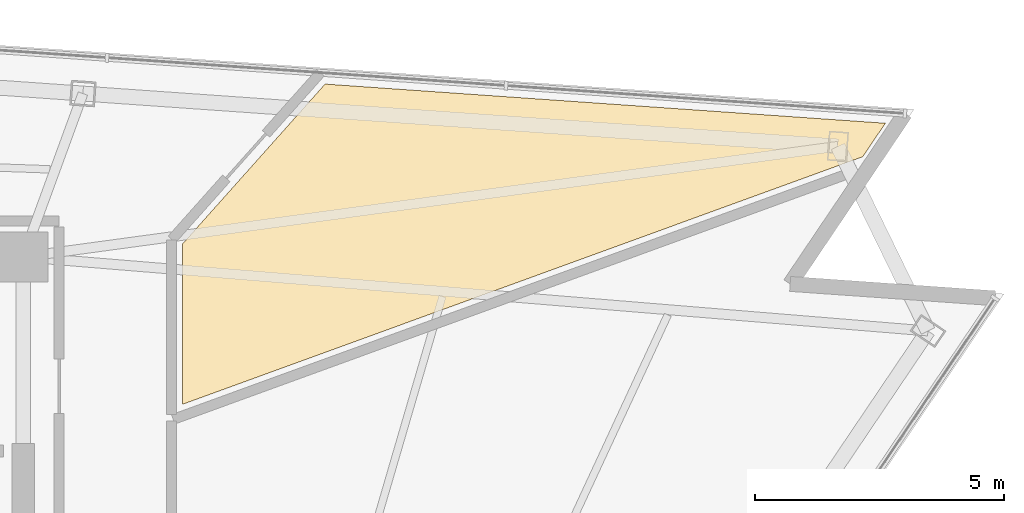
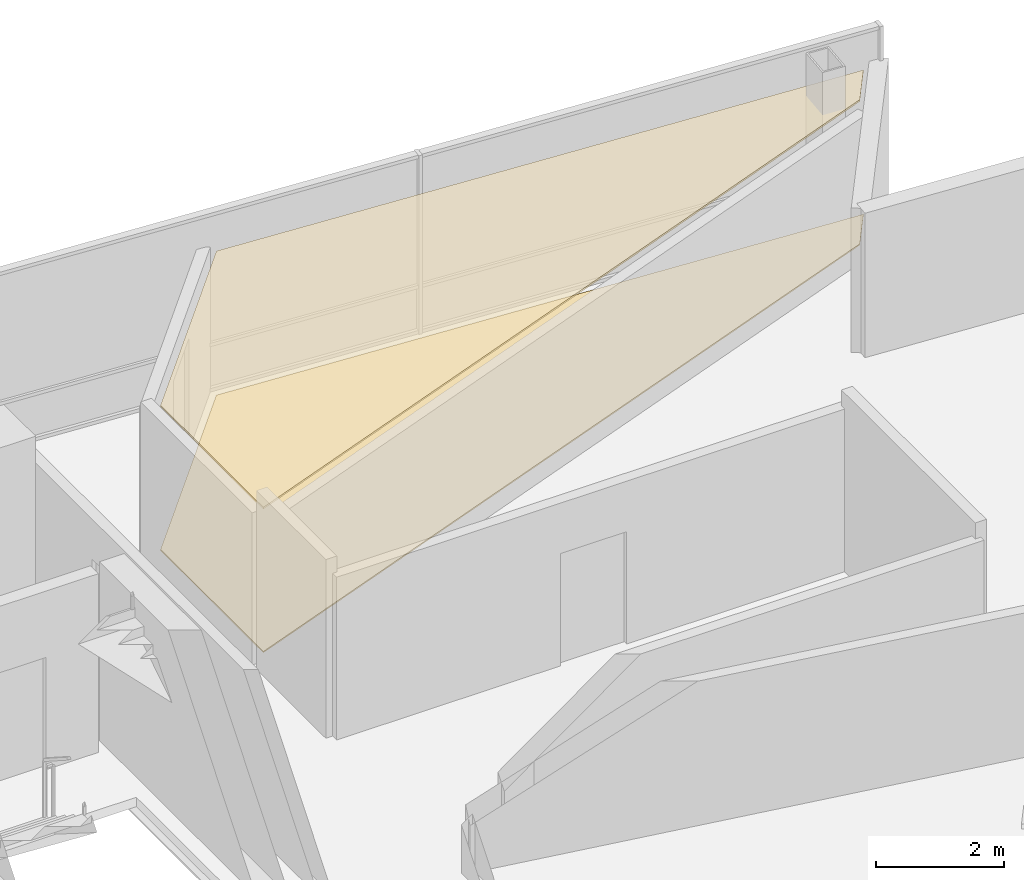
# One storey, part 14 of 14: 2 coverings.
"""IFC4 building model written with IfcOpenShell, lengths in metres."""

from ifc_helpers import new_model, si_unit, direction, frame, origin, place, context, subcontext, project, spatial, polyline, outline, extrude, material, layer, layer_set, type_object, element, save


model = new_model("IFC4")

# Units and contexts
model_context = context("Model", 3, precision=1e-05, world=origin(), true_north=direction((0.0, 1.0)))
body_context = subcontext(model_context, "Body", "Model", "MODEL_VIEW")
ifc_project = project(units=[si_unit("LENGTHUNIT", "METRE"), si_unit("AREAUNIT", "SQUARE_METRE"), si_unit("VOLUMEUNIT", "CUBIC_METRE"), si_unit("PLANEANGLEUNIT", "RADIAN"), si_unit("MASSUNIT", "GRAM", prefix="KILO")], contexts=[model_context])

# Site, building, storey
site_placement = place(None, origin())
site = spatial("IfcSite", under=ifc_project, at=site_placement, CompositionType="ELEMENT")
building_placement = place(site_placement, origin())
building = spatial("IfcBuilding", under=site, at=building_placement, Name="Tharavind Bronze Gate", CompositionType="ELEMENT")
storey_placement = place(building_placement, frame((0.0, 0.0, 237.85009765625)))
storey = spatial("IfcBuildingStorey", under=building, at=storey_placement, Name="L61", CompositionType="ELEMENT", Elevation=237.85009765625)

# Coverings
ifc_material_1 = material(Name="Perforated Bronze Acoustic Panel", Category="bronze")
ifc_layer_1 = layer(ifc_material_1, 0.044921875)
ifc_layer_set_1 = layer_set([ifc_layer_1], Name="Perforated Bronze Acoustic Panel")
covering_type_1 = type_object("IfcCoveringType", Name="ACOUSTIC BRONZE BAFFLE CEILING", PredefinedType="CEILING", material=ifc_layer_set_1)
covering_1_placement = place(storey_placement, frame((0.0, 0.0, 2.75)))
element("IfcCovering", 1, at=covering_1_placement, inside=storey, type_object=covering_type_1, Name="L61-RM-01 suspended ceiling", PredefinedType="CEILING", context=body_context, shape_type="SweptSolid", body=[
    extrude(outline(polyline([(25.771240234375, 9.614013671875), (26.225341796875, 10.287353515625), (14.966064453125, 11.07470703125), (12.10009765625, 7.86181640625), (12.10009765625, 4.63818359375), (25.771240234375, 9.614013671875)])), origin(), (0.0, 0.0, 1.0), 0.034912109375),
])
ifc_material_2 = material(Name="Engineered Oak & Carpet Tile", Category="wood")
ifc_layer_2 = layer(ifc_material_2, 0.02490234375)
ifc_layer_set_2 = layer_set([ifc_layer_2], Name="Engineered Oak & Carpet Tile")
covering_type_2 = type_object("IfcCoveringType", Name="ENGINEERED TIMBER FLOORING", PredefinedType="FLOORING", material=ifc_layer_set_2)
covering_2_placement = place(storey_placement, origin())
element("IfcCovering", 2, at=covering_2_placement, inside=storey, type_object=covering_type_2, Name="L61-RM-01 floor finish", PredefinedType="FLOORING", context=body_context, shape_type="SweptSolid", body=[
    extrude(outline(polyline([(25.771240234375, 9.614013671875), (26.225341796875, 10.287353515625), (14.966064453125, 11.07470703125), (12.10009765625, 7.86181640625), (12.10009765625, 4.63818359375), (25.771240234375, 9.614013671875)])), origin(), (0.0, 0.0, 1.0), 0.02490234375),
])

save(model, "model.ifc")
